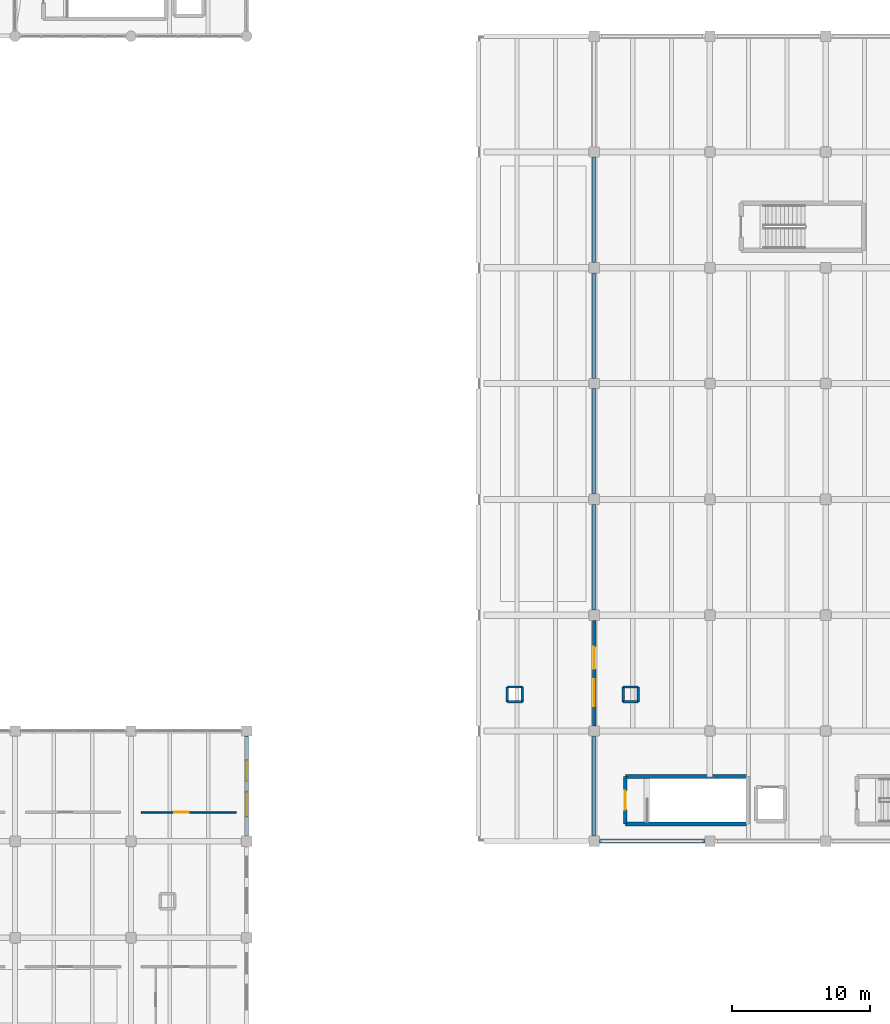
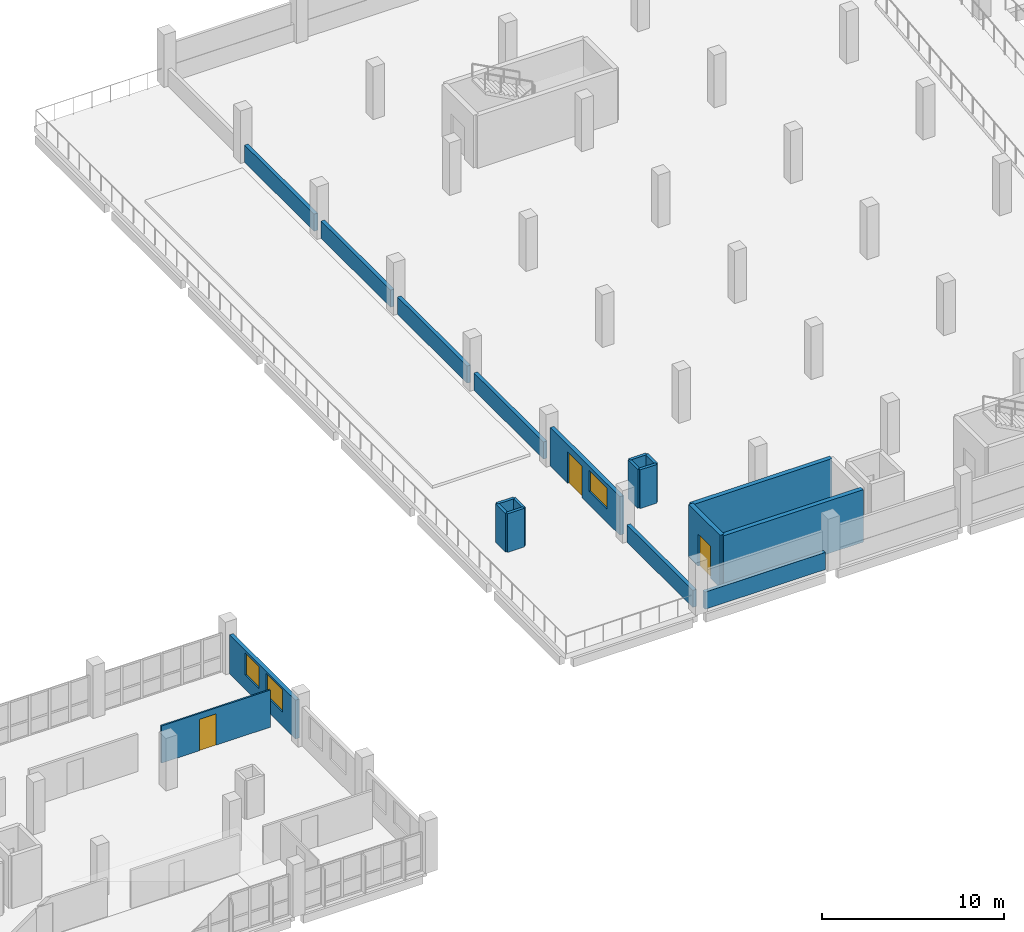
# One storey, part 81 of 95: 20 walls, 3 doors, 3 windows, 6 openings.
"""IFC4 building model written with IfcOpenShell, lengths in metres."""

from ifc_helpers import new_model, si_unit, direction, frame, frame_2d, origin, place, context, subcontext, project, spatial, rectangle, extrude, material, layer, layer_set, type_object, element, fill, save


model = new_model("IFC4")

# Units and contexts
model_context = context("Model", 3, precision=1e-05, world=origin(), true_north=direction((0.0, 1.0)))
body_context = subcontext(model_context, "Body", "Model", "MODEL_VIEW")
ifc_project = project(units=[si_unit("LENGTHUNIT", "METRE"), si_unit("AREAUNIT", "SQUARE_METRE"), si_unit("VOLUMEUNIT", "CUBIC_METRE"), si_unit("PLANEANGLEUNIT", "RADIAN"), si_unit("MASSUNIT", "GRAM", prefix="KILO"), si_unit("THERMODYNAMICTEMPERATUREUNIT", "KELVIN"), si_unit("POWERUNIT", "WATT")], contexts=[model_context])

# Site, building, storey
site_placement = place(None, origin())
site = spatial("IfcSite", under=ifc_project, at=site_placement, CompositionType="ELEMENT")
building_placement = place(site_placement, origin())
building = spatial("IfcBuilding", under=site, at=building_placement, Name="Mavoryth Pier Ferry Terminal", CompositionType="ELEMENT")
storey_placement = place(building_placement, frame((0.0, 0.0, 9.60009765625)))
storey = spatial("IfcBuildingStorey", under=building, at=storey_placement, Name="L02", CompositionType="ELEMENT", Elevation=9.60009765625)

# Walls
ifc_material_1 = material(Name="Concrete C40/50", Category="concrete")
ifc_layer_1 = layer(ifc_material_1, 0.280029296875, Name="Concrete C40/50", Category="concrete")
ifc_layer_set_1 = layer_set([ifc_layer_1], Name="Concrete C40/50 - CoreWall-Shear-RC280")
wall_type_1 = type_object("IfcWallType", Name="CoreWall-Shear-RC280", PredefinedType="SHEAR", material=ifc_layer_set_1)
for number, where, z_axis, x_axis, name in (
    (1, (119.860107421875, 15.260009765625, 0.0), (0.0, 0.0, 1.0), (1.0, 0.0, 0.0), "Interior Wall IW-L02-0141"),
    (2, (119.860107421875, 18.68994140625, 0.0), (0.0, 0.0, 1.0), (1.0, 0.0, 0.0), "Interior Wall IW-L02-0142"),
):
    element("IfcWall", number, at=place(storey_placement, frame(where, z_axis=z_axis, x_axis=x_axis)), inside=storey, type_object=wall_type_1, Name=name, PredefinedType="SHEAR", context=body_context, shape_type="SweptSolid", body=[
        extrude(rectangle(XDim=8.8798828125, YDim=0.280029296875, at=frame_2d((4.43994140625, 0.0))), origin(), (0.0, 0.0, 1.0), 3.52001953125),
    ])

# Wall, opening, door
wall_1_placement = place(storey_placement, frame((119.860107421875, 18.68994140625, 0.0), z_axis=(0.0, 0.0, 1.0), x_axis=(0.0, -1.0, 0.0)))
wall_1 = element("IfcWall", 3, at=wall_1_placement, inside=storey, type_object=wall_type_1, Name="Interior Wall IW-L02-0143", PredefinedType="SHEAR", context=body_context, shape_type="SweptSolid", body=[
    extrude(rectangle(XDim=3.429931640625, YDim=0.280029296875, at=frame_2d((1.71484375, 0.0))), origin(), (0.0, 0.0, 1.0), 3.52001953125),
])
opening_1_placement = place(wall_1_placement, frame((1.034912109375, 0.0, 0.0)))
opening_1 = element("IfcOpeningElement", 4, at=opening_1_placement, cuts=wall_1, Name="Opening ID02-036", PredefinedType="OPENING", context=body_context, shape_type="SweptSolid", body=[
    extrude(rectangle(XDim=1.360107421875, YDim=2.14990234375, at=frame_2d((0.68017578125, 1.074951171875))), frame((0.0, 0.14990234375, 0.0), z_axis=(0.0, -1.0, 0.0), x_axis=(1.0, 0.0, 0.0)), (0.0, 0.0, 1.0), 0.300048828125),
])
ifc_material_2 = material(Name="Painted Galvanised Steel Fire Door", Category="steel")
door_type_1 = type_object("IfcDoorType", Name="Door-StairFire-1360x2150", OperationType="NOTDEFINED", PredefinedType="DOOR", material=ifc_material_2)
door_1_placement = place(opening_1_placement, origin())
door_1 = element("IfcDoor", 5, at=door_1_placement, inside=storey, type_object=door_type_1, Name="Core C4A Stair Exit Door L02", OperationType="SINGLE_SWING_RIGHT", OverallHeight=2.14990234375, OverallWidth=1.360107421875, PredefinedType="DOOR", context=body_context, shape_type="SweptSolid", body=[
    extrude(rectangle(XDim=1.360107421875, YDim=2.14990234375, at=frame_2d((0.68017578125, 1.074951171875))), frame((0.0, 0.02490234375, 0.0), z_axis=(0.0, -1.0, 0.0), x_axis=(1.0, 0.0, 0.0)), (0.0, 0.0, 1.0), 0.050048828125),
])
fill(opening_1, door_1)

# Walls
ifc_layer_2 = layer(ifc_material_1, 0.22998046875, Name="Concrete C40/50", Category="concrete")
ifc_layer_set_2 = layer_set([ifc_layer_2], Name="Concrete C40/50 - ExtWall-CrashUpstand-230")
wall_type_2 = type_object("IfcWallType", Name="ExtWall-CrashUpstand-230", PredefinedType="PARAPET", material=ifc_layer_set_2)
wall_2_placement = place(storey_placement, frame((117.97509765625, 14.0, 0.0), z_axis=(0.0, 0.0, 1.0), x_axis=(1.0, 0.0, 0.0)))
element("IfcWall", 6, at=wall_2_placement, inside=storey, type_object=wall_type_2, Name="Exterior Wall EW-L02-093", PredefinedType="PARAPET", context=body_context, shape_type="SweptSolid", body=[
    extrude(rectangle(XDim=7.64990234375, YDim=0.22998046875, at=frame_2d((3.824951171875, 0.0))), origin(), (0.0, 0.0, 1.0), 1.14990234375),
])
wall_3_placement = place(storey_placement, frame((117.60009765625, 14.375, 0.0), z_axis=(0.0, 0.0, 1.0), x_axis=(0.0, 1.0, 0.0)))
element("IfcWall", 7, at=wall_3_placement, inside=storey, type_object=wall_type_2, Name="Exterior Wall EW-L02-105", PredefinedType="PARAPET", context=body_context, shape_type="SweptSolid", body=[
    extrude(rectangle(XDim=7.25, YDim=0.22998046875, at=frame_2d((3.625, 0.0))), origin(), (0.0, 0.0, 1.0), 1.14990234375),
])
wall_4_placement = place(storey_placement, frame((117.60009765625, 30.77490234375, 0.0), z_axis=(0.0, 0.0, 1.0), x_axis=(0.0, 1.0, 0.0)))
element("IfcWall", 8, at=wall_4_placement, inside=storey, type_object=wall_type_2, Name="Exterior Wall EW-L02-108", PredefinedType="PARAPET", context=body_context, shape_type="SweptSolid", body=[
    extrude(rectangle(XDim=7.650146484375, YDim=0.22998046875, at=frame_2d((3.8251953125, 0.0))), origin(), (0.0, 0.0, 1.0), 1.14990234375),
])
wall_5_placement = place(storey_placement, frame((117.60009765625, 39.175048828125, 0.0), z_axis=(0.0, 0.0, 1.0), x_axis=(0.0, 1.0, 0.0)))
element("IfcWall", 9, at=wall_5_placement, inside=storey, type_object=wall_type_2, Name="Exterior Wall EW-L02-110", PredefinedType="PARAPET", context=body_context, shape_type="SweptSolid", body=[
    extrude(rectangle(XDim=7.64990234375, YDim=0.22998046875, at=frame_2d((3.824951171875, 0.0))), origin(), (0.0, 0.0, 1.0), 1.14990234375),
])
wall_6_placement = place(storey_placement, frame((117.60009765625, 47.574951171875, 0.0), z_axis=(0.0, 0.0, 1.0), x_axis=(0.0, 1.0, 0.0)))
element("IfcWall", 10, at=wall_6_placement, inside=storey, type_object=wall_type_2, Name="Exterior Wall EW-L02-112", PredefinedType="PARAPET", context=body_context, shape_type="SweptSolid", body=[
    extrude(rectangle(XDim=7.650146484375, YDim=0.22998046875, at=frame_2d((3.8251953125, 0.0))), origin(), (0.0, 0.0, 1.0), 1.14990234375),
])
wall_7_placement = place(storey_placement, frame((117.60009765625, 55.97509765625, 0.0), z_axis=(0.0, 0.0, 1.0), x_axis=(0.0, 1.0, 0.0)))
element("IfcWall", 11, at=wall_7_placement, inside=storey, type_object=wall_type_2, Name="Exterior Wall EW-L02-114", PredefinedType="PARAPET", context=body_context, shape_type="SweptSolid", body=[
    extrude(rectangle(XDim=7.64990234375, YDim=0.22998046875, at=frame_2d((3.824951171875, 0.0))), origin(), (0.0, 0.0, 1.0), 1.14990234375),
])

# Wall, openings, door, window
ifc_material_3 = material(Name="Insulated Pentelic Limestone-Faced Masonry", Category="masonry")
ifc_layer_3 = layer(ifc_material_3, 0.25, Name="Insulated Pentelic Limestone-Faced Masonry", Category="masonry")
ifc_layer_set_3 = layer_set([ifc_layer_3], Name="Insulated Pentelic Limestone-Faced Masonry - ExtWall-Facade-Masonry250")
wall_type_3 = type_object("IfcWallType", Name="ExtWall-Facade-Masonry250", PredefinedType="SOLIDWALL", material=ifc_layer_set_3)
wall_8_placement = place(storey_placement, frame((117.60009765625, 30.02490234375, 0.0), z_axis=(0.0, 0.0, 1.0), x_axis=(0.0, -1.0, 0.0)))
wall_8 = element("IfcWall", 12, at=wall_8_placement, inside=storey, type_object=wall_type_3, Name="Exterior Wall EW-L02-063", PredefinedType="SOLIDWALL", context=body_context, shape_type="SweptSolid", body=[
    extrude(rectangle(XDim=7.64990234375, YDim=0.25, at=frame_2d((3.824951171875, 0.0))), origin(), (0.0, 0.0, 1.0), 2.5849609375),
])
opening_2_placement = place(wall_8_placement, frame((1.9150390625, 0.0, 0.0)))
opening_2 = element("IfcOpeningElement", 13, at=opening_2_placement, cuts=wall_8, Name="Opening ED07-027", PredefinedType="OPENING", context=body_context, shape_type="SweptSolid", body=[
    extrude(rectangle(XDim=1.60009765625, YDim=2.10009765625, at=frame_2d((0.800048828125, 1.050048828125))), frame((0.0, 0.135009765625, 0.0), z_axis=(0.0, -1.0, 0.0), x_axis=(1.0, 0.0, 0.0)), (0.0, 0.0, 1.0), 0.27001953125),
])
opening_3_placement = place(wall_8_placement, frame((4.264892578125, 0.0, 0.89990234375)))
opening_3 = element("IfcOpeningElement", 14, at=opening_3_placement, cuts=wall_8, Name="Opening WN17", PredefinedType="OPENING", context=body_context, shape_type="SweptSolid", body=[
    extrude(rectangle(XDim=1.949951171875, YDim=1.39990234375, at=frame_2d((0.97509765625, 0.699951171875))), frame((0.0, 0.135009765625, 0.0), z_axis=(0.0, -1.0, 0.0), x_axis=(1.0, 0.0, 0.0)), (0.0, 0.0, 1.0), 0.27001953125),
])
ifc_material_4 = material(Name="Thermally Broken Anodised Aluminium and Laminated Glass", Category="aluminium")
door_type_2 = type_object("IfcDoorType", Name="ExtDoor-Terrace-1600x2100", OperationType="NOTDEFINED", PredefinedType="DOOR", material=ifc_material_4)
door_2_placement = place(opening_2_placement, origin())
door_2 = element("IfcDoor", 15, at=door_2_placement, inside=storey, type_object=door_type_2, Name="Exterior Pedestrian Exit Door ED07-027", OperationType="SINGLE_SWING_LEFT", OverallHeight=2.10009765625, OverallWidth=1.60009765625, PredefinedType="DOOR", context=body_context, shape_type="SweptSolid", body=[
    extrude(rectangle(XDim=1.60009765625, YDim=2.10009765625, at=frame_2d((0.800048828125, 1.050048828125))), frame((0.0, 0.02490234375, 0.0), z_axis=(0.0, -1.0, 0.0), x_axis=(1.0, 0.0, 0.0)), (0.0, 0.0, 1.0), 0.050048828125),
])
fill(opening_2, door_2)
ifc_material_5 = material(Name="Thermally Broken Aluminium and Low-E Double Glazing", Category="aluminium")
window_type_1 = type_object("IfcWindowType", Name="Win-Drivers-1950x1400", PartitioningType="DOUBLE_PANEL_VERTICAL", PredefinedType="WINDOW", material=ifc_material_5)
window_1_placement = place(opening_3_placement, origin())
window_1 = element("IfcWindow", 16, at=window_1_placement, inside=storey, type_object=window_type_1, Name="Exterior Window 47", OverallHeight=1.39990234375, OverallWidth=1.949951171875, PartitioningType="DOUBLE_PANEL_VERTICAL", PredefinedType="WINDOW", context=body_context, shape_type="SweptSolid", body=[
    extrude(rectangle(XDim=1.949951171875, YDim=1.39990234375, at=frame_2d((0.97509765625, 0.699951171875))), frame((0.0, 0.030029296875, 0.0), z_axis=(0.0, -1.0, 0.0), x_axis=(1.0, 0.0, 0.0)), (0.0, 0.0, 1.0), 0.06005859375),
])
fill(opening_3, window_1)

# Wall, openings, windows
wall_9_placement = place(storey_placement, frame((92.39990234375, 14.375, 0.0), z_axis=(0.0, 0.0, 1.0), x_axis=(0.0, 1.0, 0.0)))
wall_9 = element("IfcWall", 17, at=wall_9_placement, inside=storey, type_object=wall_type_3, Name="Exterior Wall EW-L02-168", PredefinedType="SOLIDWALL", context=body_context, shape_type="SweptSolid", body=[
    extrude(rectangle(XDim=7.25, YDim=0.25, at=frame_2d((3.625, 0.0))), origin(), (0.0, 0.0, 1.0), 2.60498046875),
])
opening_4_placement = place(wall_9_placement, frame((1.4150390625, 0.0, 0.949951171875)))
opening_4 = element("IfcOpeningElement", 18, at=opening_4_placement, cuts=wall_9, Name="Opening WN01", PredefinedType="OPENING", context=body_context, shape_type="SweptSolid", body=[
    extrude(rectangle(XDim=1.800048828125, YDim=1.5, at=frame_2d((0.89990234375, 0.75))), frame((0.0, 0.135009765625, 0.0), z_axis=(0.0, -1.0, 0.0), x_axis=(1.0, 0.0, 0.0)), (0.0, 0.0, 1.0), 0.27001953125),
])
opening_5_placement = place(wall_9_placement, frame((4.014892578125, 0.0, 0.949951171875)))
opening_5 = element("IfcOpeningElement", 19, at=opening_5_placement, cuts=wall_9, Name="Opening WN03", PredefinedType="OPENING", context=body_context, shape_type="SweptSolid", body=[
    extrude(rectangle(XDim=1.5, YDim=1.5, at=frame_2d((0.75, 0.75))), frame((0.0, 0.135009765625, 0.0), z_axis=(0.0, -1.0, 0.0), x_axis=(1.0, 0.0, 0.0)), (0.0, 0.0, 1.0), 0.27001953125),
])
window_type_2 = type_object("IfcWindowType", Name="Win-Ops-1500x1500", PartitioningType="SINGLE_PANEL", PredefinedType="WINDOW", material=ifc_material_5)
window_2_placement = place(opening_5_placement, origin())
window_2 = element("IfcWindow", 20, at=window_2_placement, inside=storey, type_object=window_type_2, Name="Exterior Window 98", OverallHeight=1.5, OverallWidth=1.5, PartitioningType="SINGLE_PANEL", PredefinedType="WINDOW", context=body_context, shape_type="SweptSolid", body=[
    extrude(rectangle(XDim=1.5, YDim=1.5, at=frame_2d((0.75, 0.75))), frame((0.0, 0.030029296875, 0.0), z_axis=(0.0, -1.0, 0.0), x_axis=(1.0, 0.0, 0.0)), (0.0, 0.0, 1.0), 0.06005859375),
])
fill(opening_5, window_2)
window_type_3 = type_object("IfcWindowType", Name="Win-Ops-1800x1500", PartitioningType="DOUBLE_PANEL_VERTICAL", PredefinedType="WINDOW", material=ifc_material_5)
window_3_placement = place(opening_4_placement, origin())
window_3 = element("IfcWindow", 21, at=window_3_placement, inside=storey, type_object=window_type_3, Name="Exterior Window 97", OverallHeight=1.5, OverallWidth=1.800048828125, PartitioningType="DOUBLE_PANEL_VERTICAL", PredefinedType="WINDOW", context=body_context, shape_type="SweptSolid", body=[
    extrude(rectangle(XDim=1.800048828125, YDim=1.5, at=frame_2d((0.89990234375, 0.75))), frame((0.0, 0.030029296875, 0.0), z_axis=(0.0, -1.0, 0.0), x_axis=(1.0, 0.0, 0.0)), (0.0, 0.0, 1.0), 0.06005859375),
])
fill(opening_4, window_3)

# Walls
ifc_material_6 = material(Name="Autoclaved Aerated Concrete Blockwork", Category="masonry")
ifc_layer_4 = layer(ifc_material_6, 0.179931640625, Name="Autoclaved Aerated Concrete Blockwork", Category="masonry")
ifc_layer_set_4 = layer_set([ifc_layer_4], Name="Autoclaved Aerated Concrete Blockwork - IntWall-PlantRated-180")
wall_type_4 = type_object("IfcWallType", Name="IntWall-PlantRated-180", PredefinedType="SOLIDWALL", material=ifc_layer_set_4)
for number, where, z_axis, x_axis, name in (
    (22, (111.31005859375, 24.110107421875, 0.0), (0.0, 0.0, 1.0), (1.0, 0.0, 0.0), "Interior Wall IW-L02-0389"),
    (23, (112.389892578125, 24.110107421875, 0.0), (0.0, 0.0, 1.0), (0.0, 1.0, 0.0), "Interior Wall IW-L02-0390"),
    (24, (112.389892578125, 25.18994140625, 0.0), (0.0, 0.0, 1.0), (-1.0, 0.0, 0.0), "Interior Wall IW-L02-0391"),
    (25, (111.31005859375, 25.18994140625, 0.0), (0.0, 0.0, 1.0), (0.0, -1.0, 0.0), "Interior Wall IW-L02-0392"),
):
    element("IfcWall", number, at=place(storey_placement, frame(where, z_axis=z_axis, x_axis=x_axis)), inside=storey, type_object=wall_type_4, Name=name, PredefinedType="SOLIDWALL", context=body_context, shape_type="SweptSolid", body=[
        extrude(rectangle(XDim=1.079833984375, YDim=0.179931640625, at=frame_2d((0.5400390625, 0.0))), origin(), (0.0, 0.0, 1.0), 2.599853515625),
    ])
wall_10_placement = place(storey_placement, frame((119.7099609375, 24.110107421875, 0.0), z_axis=(0.0, 0.0, 1.0), x_axis=(1.0, 0.0, 0.0)))
element("IfcWall", 26, at=wall_10_placement, inside=storey, type_object=wall_type_4, Name="Interior Wall IW-L02-0401", PredefinedType="SOLIDWALL", context=body_context, shape_type="SweptSolid", body=[
    extrude(rectangle(XDim=1.080078125, YDim=0.179931640625, at=frame_2d((0.5400390625, 0.0))), origin(), (0.0, 0.0, 1.0), 2.599853515625),
])
wall_11_placement = place(storey_placement, frame((120.7900390625, 24.110107421875, 0.0), z_axis=(0.0, 0.0, 1.0), x_axis=(0.0, 1.0, 0.0)))
element("IfcWall", 27, at=wall_11_placement, inside=storey, type_object=wall_type_4, Name="Interior Wall IW-L02-0402", PredefinedType="SOLIDWALL", context=body_context, shape_type="SweptSolid", body=[
    extrude(rectangle(XDim=1.079833984375, YDim=0.179931640625, at=frame_2d((0.5400390625, 0.0))), origin(), (0.0, 0.0, 1.0), 2.599853515625),
])
wall_12_placement = place(storey_placement, frame((120.7900390625, 25.18994140625, 0.0), z_axis=(0.0, 0.0, 1.0), x_axis=(-1.0, 0.0, 0.0)))
element("IfcWall", 28, at=wall_12_placement, inside=storey, type_object=wall_type_4, Name="Interior Wall IW-L02-0403", PredefinedType="SOLIDWALL", context=body_context, shape_type="SweptSolid", body=[
    extrude(rectangle(XDim=1.080078125, YDim=0.179931640625, at=frame_2d((0.5400390625, 0.0))), origin(), (0.0, 0.0, 1.0), 2.599853515625),
])
wall_13_placement = place(storey_placement, frame((119.7099609375, 25.18994140625, 0.0), z_axis=(0.0, 0.0, 1.0), x_axis=(0.0, -1.0, 0.0)))
element("IfcWall", 29, at=wall_13_placement, inside=storey, type_object=wall_type_4, Name="Interior Wall IW-L02-0404", PredefinedType="SOLIDWALL", context=body_context, shape_type="SweptSolid", body=[
    extrude(rectangle(XDim=1.079833984375, YDim=0.179931640625, at=frame_2d((0.5400390625, 0.0))), origin(), (0.0, 0.0, 1.0), 2.599853515625),
])

# Wall, opening, door
ifc_material_7 = material(Name="Moisture-Resistant Cement-Board Partition")
ifc_layer_5 = layer(ifc_material_7, 0.10009765625, Name="Moisture-Resistant Cement-Board Partition")
ifc_layer_set_5 = layer_set([ifc_layer_5], Name="Moisture-Resistant Cement-Board Partition - Part-WetArea-100")
wall_type_5 = type_object("IfcWallType", Name="Part-WetArea-100", PredefinedType="PARTITIONING", material=ifc_layer_set_5)
wall_14_placement = place(storey_placement, frame((84.75, 16.10009765625, 0.0), z_axis=(0.0, 0.0, 1.0), x_axis=(1.0, 0.0, 0.0)))
wall_14 = element("IfcWall", 30, at=wall_14_placement, inside=storey, type_object=wall_type_5, Name="Interior Wall IW-L02-0482", PredefinedType="PARTITIONING", context=body_context, shape_type="SweptSolid", body=[
    extrude(rectangle(XDim=6.89990234375, YDim=0.10009765625, at=frame_2d((3.449951171875, 0.0))), origin(), (0.0, 0.0, 1.0), 2.5),
])
opening_6_placement = place(wall_14_placement, frame((2.39990234375, 0.0, 0.0)))
opening_6 = element("IfcOpeningElement", 31, at=opening_6_placement, cuts=wall_14, Name="Opening ID11-151", PredefinedType="OPENING", context=body_context, shape_type="SweptSolid", body=[
    extrude(rectangle(XDim=1.06005859375, YDim=2.10009765625, at=frame_2d((0.530029296875, 1.050048828125))), frame((0.0, 0.06005859375, 0.0), z_axis=(0.0, -1.0, 0.0), x_axis=(1.0, 0.0, 0.0)), (0.0, 0.0, 1.0), 0.1201171875),
])
ifc_material_8 = material(Name="High-Pressure Laminate Accessible Door")
door_type_3 = type_object("IfcDoorType", Name="Door-AccessibleWC-1060x2100", OperationType="NOTDEFINED", PredefinedType="DOOR", material=ifc_material_8)
door_3_placement = place(opening_6_placement, origin())
door_3 = element("IfcDoor", 32, at=door_3_placement, inside=storey, type_object=door_type_3, Name="Interior Door ID11-151", OperationType="SINGLE_SWING_RIGHT", OverallHeight=2.10009765625, OverallWidth=1.06005859375, PredefinedType="DOOR", context=body_context, shape_type="SweptSolid", body=[
    extrude(rectangle(XDim=1.06005859375, YDim=2.10009765625, at=frame_2d((0.530029296875, 1.050048828125))), frame((0.0, 0.02490234375, 0.0), z_axis=(0.0, -1.0, 0.0), x_axis=(1.0, 0.0, 0.0)), (0.0, 0.0, 1.0), 0.050048828125),
])
fill(opening_6, door_3)

save(model, "model.ifc")
